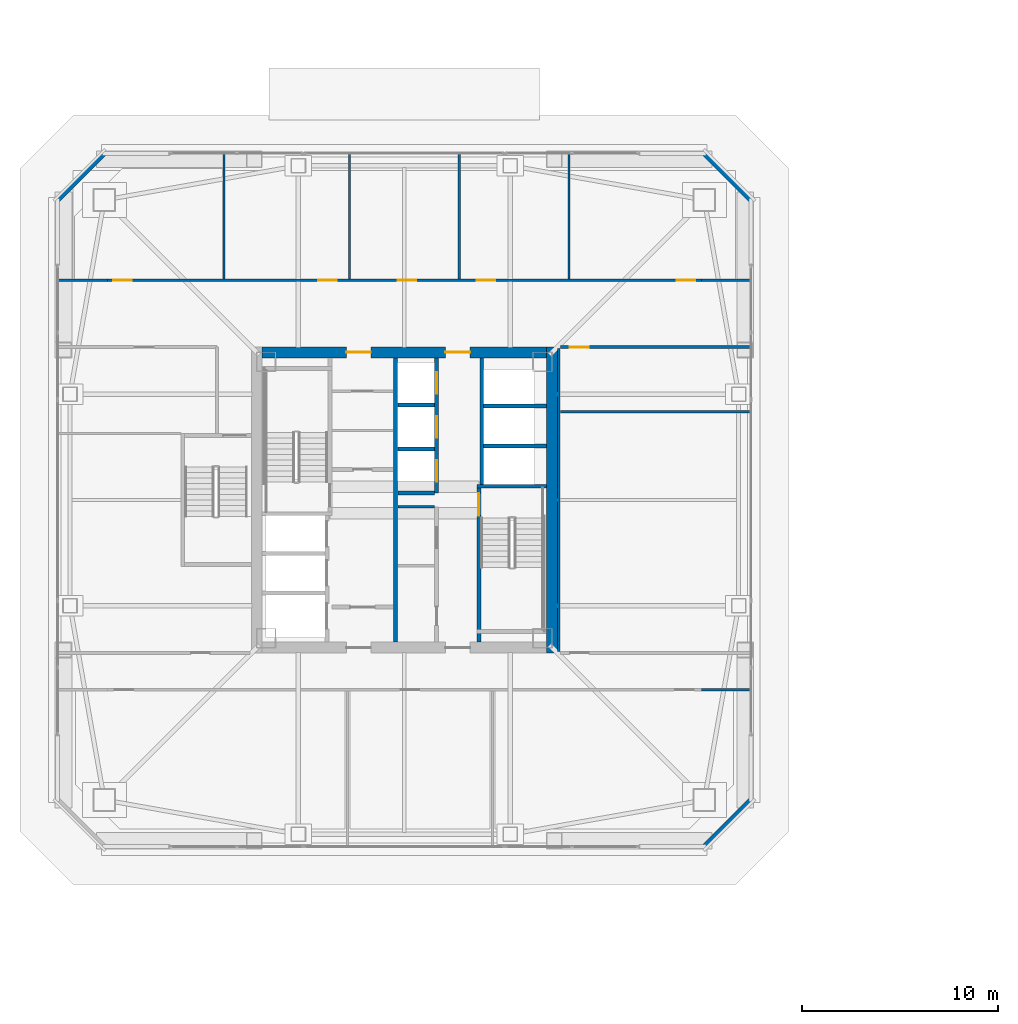
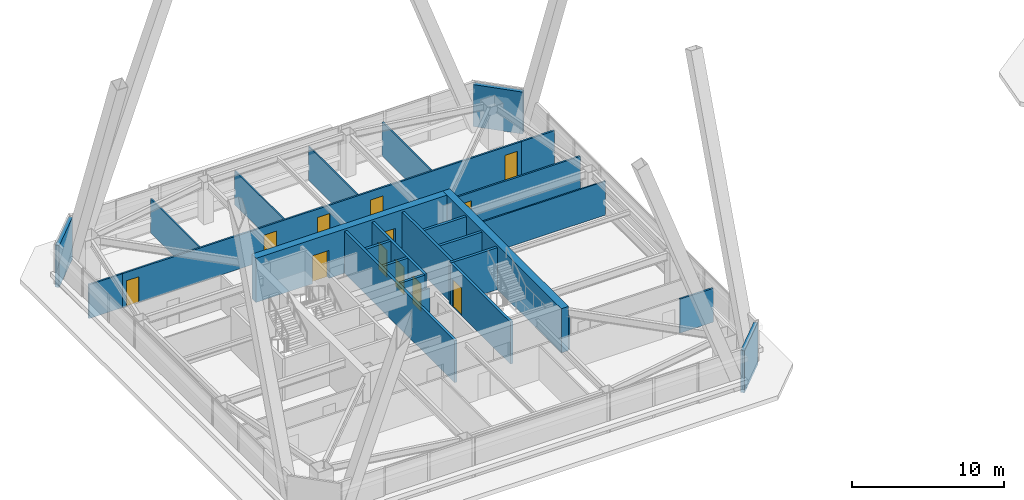
# One storey, part 56 of 65: 27 walls, 12 doors, 12 openings.
"""IFC4 building model written with IfcOpenShell, lengths in metres."""

import ifcopenshell
import ifcopenshell.guid

model = None  # the IFC model being written
_history = None  # IfcOwnerHistory: only IFC2X3 demands one
_inside = {}  # id of a spatial element -> (the spatial element, [elements in it])
_under = {}  # id of a project, library or spatial element -> (it, [spatial elements below it])
_declared = {}  # id of a project -> (the project, [libraries it declares])
_typed = {}  # id of a type object -> (the type object, [elements of that type])
_made_of = {}  # id of a material, layer set ... -> (it, [elements and type objects made of it])


def new_model(schema):
    """Start an empty IFC model of exactly this schema.

    Asked for "IFC4X3", IfcOpenShell would pick the latest addendum, in which some entities
    have other attributes; the version numbers below select the first issue.
    IFC2X3 requires an IfcOwnerHistory on every rooted entity: one is made here for all.
    """
    global model, _history
    if schema == "IFC4X3":
        model = ifcopenshell.file(schema_version=(4, 3, 0, 0))
    else:
        model = ifcopenshell.file(schema=schema)
    _inside.clear()
    _under.clear()
    _declared.clear()
    _typed.clear()
    _made_of.clear()
    _history = None
    if model.schema == "IFC2X3":
        org = make("IfcOrganization", Name="unknown")
        user = make(
            "IfcPersonAndOrganization",
            ThePerson=make("IfcPerson", FamilyName="unknown"),
            TheOrganization=org,
        )
        app = make(
            "IfcApplication",
            ApplicationDeveloper=org,
            Version="unknown",
            ApplicationFullName="unknown",
            ApplicationIdentifier="unknown",
        )
        _history = make(
            "IfcOwnerHistory",
            OwningUser=user,
            OwningApplication=app,
            ChangeAction="ADDED",
            CreationDate=0,
        )
    return model


def make(cls, **values):
    """One entity of the class cls with the attributes given. An attribute that is None is left unset."""
    return model.create_entity(
        cls, **{name: value for name, value in values.items() if value is not None}
    )


def rooted(cls, **values):
    """An entity with a GlobalId (a new one), such as an element, a storey or a relation."""
    return make(cls, GlobalId=ifcopenshell.guid.new(), OwnerHistory=_history, **values)


def si_unit(unit_type, name, prefix=None):
    """IfcSIUnit, for example si_unit("LENGTHUNIT", "METRE", prefix="MILLI")."""
    return make("IfcSIUnit", UnitType=unit_type, Prefix=prefix, Name=name)


def assignment(units):
    """IfcUnitAssignment: the units of a project."""
    return None if units is None else make("IfcUnitAssignment", Units=units)


def point(xyz):
    """IfcCartesianPoint."""
    return None if xyz is None else make("IfcCartesianPoint", Coordinates=xyz)


def direction(xyz):
    """IfcDirection."""
    return None if xyz is None else make("IfcDirection", DirectionRatios=xyz)


def frame(location, z_axis=None, x_axis=None):
    """IfcAxis2Placement3D, a coordinate frame: its origin and axes. An axis left out is left unset."""
    return make(
        "IfcAxis2Placement3D",
        Location=point(location),
        Axis=direction(z_axis),
        RefDirection=direction(x_axis),
    )


def frame_2d(location, x_axis=None):
    """IfcAxis2Placement2D, a coordinate frame in the plane: its origin and x axis."""
    return make(
        "IfcAxis2Placement2D", Location=point(location), RefDirection=direction(x_axis)
    )


def origin():
    """The frame at (0, 0, 0) with its axes left unset."""
    return frame((0.0, 0.0, 0.0))


def place(relative_to, where):
    """IfcLocalPlacement: puts the frame where relative to a parent placement (None: the world)."""
    return make(
        "IfcLocalPlacement", PlacementRelTo=relative_to, RelativePlacement=where
    )


def context(
    kind, dimensions, precision=None, world=None, true_north=None, identifier=None
):
    """IfcGeometricRepresentationContext, for example the 3D "Model" context."""
    return make(
        "IfcGeometricRepresentationContext",
        ContextIdentifier=identifier,
        ContextType=kind,
        CoordinateSpaceDimension=dimensions,
        Precision=precision,
        WorldCoordinateSystem=world,
        TrueNorth=true_north,
    )


def subcontext(parent, identifier, kind, view, scale=None):
    """IfcGeometricRepresentationSubContext, for example "Body" below "Model"."""
    return make(
        "IfcGeometricRepresentationSubContext",
        ContextIdentifier=identifier,
        ContextType=kind,
        ParentContext=parent,
        TargetScale=scale,
        TargetView=view,
    )


def project(units=None, contexts=None):
    """IfcProject with its units and contexts."""
    return rooted(
        "IfcProject",
        Name="project",
        RepresentationContexts=contexts,
        UnitsInContext=assignment(units),
    )


def spatial(cls, under=None, at=None, **own):
    """A site, building, storey or space (cls), placed at a placement, below another one or the project."""
    s = rooted(cls, ObjectPlacement=at, **own)
    if under is not None:
        _under.setdefault(under.id(), (under, []))[1].append(s)
    return s


def profile(cls, at=None, kind="AREA", **sizes):
    """A parametric profile (cls). Its sizes go by their IFC names, for example OverallWidth=200.0."""
    return make(cls, ProfileType=kind, Position=at, **sizes)


def rectangle(**sizes):
    """IfcRectangleProfileDef."""
    return profile("IfcRectangleProfileDef", **sizes)


def extrude(swept, where, along, depth):
    """IfcExtrudedAreaSolid: the profile swept, set in the frame where, extruded along a direction by depth."""
    return make(
        "IfcExtrudedAreaSolid",
        SweptArea=swept,
        Position=where,
        ExtrudedDirection=direction(along),
        Depth=depth,
    )


def shape(context_of_items, identifier, shape_type, items):
    """IfcShapeRepresentation: the items that make up one representation, for example the "Body"."""
    return make(
        "IfcShapeRepresentation",
        ContextOfItems=context_of_items,
        RepresentationIdentifier=identifier,
        RepresentationType=shape_type,
        Items=items,
    )


def material(Name=None, Category=None):
    """IfcMaterial."""
    return make("IfcMaterial", Name=Name, Category=Category)


def layer(
    of_material, thickness, ventilated=None, Name=None, Category=None, Priority=None
):
    """IfcMaterialLayer: one layer of a wall or slab, of a material (None: an air gap)."""
    return make(
        "IfcMaterialLayer",
        Material=of_material,
        LayerThickness=thickness,
        IsVentilated=ventilated,
        Name=Name,
        Category=Category,
        Priority=Priority,
    )


def layer_set(layers, Name=None):
    """IfcMaterialLayerSet."""
    return make("IfcMaterialLayerSet", MaterialLayers=layers, LayerSetName=Name)


def made_of(thing, what):
    """Note that an element or type object is made of a material, layer set ...; save() writes the relation."""
    if what is not None:
        _made_of.setdefault(what.id(), (what, []))[1].append(thing)
    return thing


def type_object(cls, material=None, **own):
    """A type object (cls), such as IfcWallType, which elements share."""
    return made_of(rooted(cls, **own), material)


def element(
    cls,
    number,
    at=None,
    inside=None,
    cuts=None,
    type_object=None,
    material=None,
    context=None,
    identifier="Body",
    shape_type=None,
    held_by="IfcProductDefinitionShape",
    body=None,
    shapes=None,
    **own,
):
    """One element of the class cls, such as IfcWall. Its Tag is "e" and its number.

    at: its placement. inside: the storey or other place that contains it. cuts: it is an
    opening in that element (IfcRelVoidsElement). A single representation is given by context,
    identifier, shape_type and body (its items); several are given by shapes. held_by: the class
    of the entity that holds the representations. save() writes the other relations.
    """
    e = rooted(cls, Tag="e%d" % number, ObjectPlacement=at, **own)
    if body is not None:
        shapes = [shape(context, identifier, shape_type, body)]
    if shapes is not None:
        e.Representation = make(held_by, Representations=shapes)
    if inside is not None:
        _inside.setdefault(inside.id(), (inside, []))[1].append(e)
    if cuts is not None:
        rooted(
            "IfcRelVoidsElement", RelatingBuildingElement=cuts, RelatedOpeningElement=e
        )
    if type_object is not None:
        _typed.setdefault(type_object.id(), (type_object, []))[1].append(e)
    return made_of(e, material)


def fill(opening, filler):
    """IfcRelFillsElement: the door or window that sits in an opening."""
    return rooted(
        "IfcRelFillsElement",
        RelatingOpeningElement=opening,
        RelatedBuildingElement=filler,
    )


def aggregate(whole, parts):
    """IfcRelAggregates: a whole, such as a stair, and the parts it consists of."""
    return rooted("IfcRelAggregates", RelatingObject=whole, RelatedObjects=parts)


def save(model, path):
    """Write the relations noted so far, then the file.

    IfcRelAggregates (storeys below a building ...), IfcRelContainedInSpatialStructure (elements
    in a storey), IfcRelDefinesByType, IfcRelAssociatesMaterial and IfcRelDeclares: one each for
    every whole, place, type object, material and project.
    """
    for whole, parts in _under.values():
        aggregate(whole, parts)
    for where, things in _inside.values():
        rooted(
            "IfcRelContainedInSpatialStructure",
            RelatedElements=things,
            RelatingStructure=where,
        )
    for kind, things in _typed.values():
        rooted("IfcRelDefinesByType", RelatedObjects=things, RelatingType=kind)
    for what, things in _made_of.values():
        rooted("IfcRelAssociatesMaterial", RelatedObjects=things, RelatingMaterial=what)
    for by, libraries in _declared.values():
        rooted("IfcRelDeclares", RelatingContext=by, RelatedDefinitions=libraries)
    model.write(path)


model = new_model("IFC4")

# Units and contexts
model_context = context("Model", 3, precision=1e-05, world=origin(), true_north=direction((0.0, 1.0)))
body_context = subcontext(model_context, "Body", "Model", "MODEL_VIEW")
ifc_project = project(units=[si_unit("LENGTHUNIT", "METRE"), si_unit("AREAUNIT", "SQUARE_METRE"), si_unit("VOLUMEUNIT", "CUBIC_METRE"), si_unit("PLANEANGLEUNIT", "RADIAN"), si_unit("MASSUNIT", "GRAM", prefix="KILO")], contexts=[model_context])

# Site, building, storey
site_placement = place(None, origin())
site = spatial("IfcSite", under=ifc_project, at=site_placement, CompositionType="ELEMENT")
building_placement = place(site_placement, origin())
building = spatial("IfcBuilding", under=site, at=building_placement, Name="Tashvorn Skyway Center", CompositionType="ELEMENT")
storey_placement = place(building_placement, frame((0.0, 0.0, 157.0)))
storey = spatial("IfcBuildingStorey", under=building, at=storey_placement, Name="L42", CompositionType="ELEMENT", Elevation=157.0)

# Wall
ifc_material_1 = material(Name="Concrete C60/75", Category="concrete")
ifc_layer_1 = layer(ifc_material_1, 0.550048828125)
ifc_layer_set_1 = layer_set([ifc_layer_1], Name="Concrete C60/75")
wall_type_1 = type_object("IfcWallType", Name="WALL-CORE-550", PredefinedType="SHEAR", material=ifc_layer_set_1)
wall_1_placement = place(storey_placement, frame((49.52490234375, 39.800048828125, 0.0), z_axis=(0.0, 0.0, 1.0), x_axis=(0.0, -1.0, 0.0)))
element("IfcWall", 1, at=wall_1_placement, inside=storey, type_object=wall_type_1, Name="Tower 1 L42 East Core Shear Wall", PredefinedType="SHEAR", context=body_context, shape_type="SweptSolid", body=[
    extrude(rectangle(XDim=15.60009765625, YDim=0.550048828125, at=frame_2d((7.800048828125, 0.0))), origin(), (0.0, 0.0, 1.0), 3.550048828125),
])

# Wall, openings, doors
wall_2_placement = place(storey_placement, frame((34.75, 39.52490234375, 0.0), z_axis=(0.0, 0.0, 1.0), x_axis=(1.0, 0.0, 0.0)))
wall_2 = element("IfcWall", 2, at=wall_2_placement, inside=storey, type_object=wall_type_1, Name="Tower 1 L42 North Core Shear Wall", PredefinedType="SHEAR", context=body_context, shape_type="SweptSolid", body=[
    extrude(rectangle(XDim=14.5, YDim=0.550048828125, at=frame_2d((7.25, 0.0))), origin(), (0.0, 0.0, 1.0), 3.550048828125),
])
opening_1_placement = place(wall_2_placement, frame((4.300048828125, 0.0, 0.0)))
opening_1 = element("IfcOpeningElement", 3, at=opening_1_placement, cuts=wall_2, Name="Opening D-FFL-1250", PredefinedType="OPENING", context=body_context, shape_type="SweptSolid", body=[
    extrude(rectangle(XDim=1.25, YDim=2.25, at=frame_2d((0.625, 1.125))), frame((0.0, 0.284912109375, 0.0), z_axis=(0.0, -1.0, 0.0), x_axis=(1.0, 0.0, 0.0)), (0.0, 0.0, 1.0), 0.570068359375),
])
opening_2_placement = place(wall_2_placement, frame((9.35009765625, 0.0, 0.0)))
opening_2 = element("IfcOpeningElement", 4, at=opening_2_placement, cuts=wall_2, Name="Opening D-FFL-1250", PredefinedType="OPENING", context=body_context, shape_type="SweptSolid", body=[
    extrude(rectangle(XDim=1.25, YDim=2.25, at=frame_2d((0.625, 1.125))), frame((0.0, 0.284912109375, 0.0), z_axis=(0.0, -1.0, 0.0), x_axis=(1.0, 0.0, 0.0)), (0.0, 0.0, 1.0), 0.570068359375),
])
ifc_material_2 = material(Name="Hollow galvanized steel fire door assembly", Category="steel")
door_type_1 = type_object("IfcDoorType", Name="DOOR-FFL-1250", OperationType="NOTDEFINED", PredefinedType="DOOR", material=ifc_material_2)
door_1_placement = place(opening_1_placement, origin())
door_1 = element("IfcDoor", 5, at=door_1_placement, inside=storey, type_object=door_type_1, Name="Tower 1 L42 Core North Service Lobby Door", OperationType="SINGLE_SWING_LEFT", OverallHeight=2.25, OverallWidth=1.25, PredefinedType="DOOR", context=body_context, shape_type="SweptSolid", body=[
    extrude(rectangle(XDim=1.25, YDim=2.25, at=frame_2d((0.625, 1.125))), frame((0.0, 0.02490234375, 0.0), z_axis=(0.0, -1.0, 0.0), x_axis=(1.0, 0.0, 0.0)), (0.0, 0.0, 1.0), 0.050048828125),
])
fill(opening_1, door_1)
door_2_placement = place(opening_2_placement, origin())
door_2 = element("IfcDoor", 6, at=door_2_placement, inside=storey, type_object=door_type_1, Name="Tower 1 L42 Core North Lift Lobby Door", OperationType="SINGLE_SWING_RIGHT", OverallHeight=2.25, OverallWidth=1.25, PredefinedType="DOOR", context=body_context, shape_type="SweptSolid", body=[
    extrude(rectangle(XDim=1.25, YDim=2.25, at=frame_2d((0.625, 1.125))), frame((0.0, 0.02490234375, 0.0), z_axis=(0.0, -1.0, 0.0), x_axis=(1.0, 0.0, 0.0)), (0.0, 0.0, 1.0), 0.050048828125),
])
fill(opening_2, door_2)

# Walls
ifc_material_3 = material(Name="Precast concrete C40/50", Category="concrete")
ifc_layer_2 = layer(ifc_material_3, 0.280029296875)
ifc_layer_set_2 = layer_set([ifc_layer_2], Name="Precast concrete C40/50")
wall_type_2 = type_object("IfcWallType", Name="WALL-EXT-280", PredefinedType="SOLIDWALL", material=ifc_layer_set_2)
for number, where, z_axis, x_axis, name in (
    (7, (24.300048828125, 47.300048828125, 0.0), (0.0, 0.0, 1.0), (0.707106781187, 0.707106781187, 0.0), "Tower 1 L42 NW Precast Chamfer Wall"),
    (8, (57.300048828125, 49.699951171875, 0.0), (0.0, 0.0, 1.0), (0.707106781187, -0.707106781187, 0.0), "Tower 1 L42 NE Precast Chamfer Wall"),
    (9, (59.699951171875, 16.699951171875, 0.0), (0.0, 0.0, 1.0), (-0.707106781187, -0.707106781187, 0.0), "Tower 1 L42 SE Precast Chamfer Wall"),
):
    element("IfcWall", number, at=place(storey_placement, frame(where, z_axis=z_axis, x_axis=x_axis)), inside=storey, type_object=wall_type_2, Name=name, PredefinedType="SOLIDWALL", context=body_context, shape_type="SweptSolid", body=[
        extrude(rectangle(XDim=3.39404296875, YDim=0.280029296875, at=frame_2d((1.697021484375, 0.0))), origin(), (0.0, 0.0, 1.0), 3.3701171875),
    ])
ifc_material_4 = material(Name="Gypsum board on cold-formed steel stud framing", Category="steel")
ifc_layer_3 = layer(ifc_material_4, 0.110107421875)
ifc_layer_set_3 = layer_set([ifc_layer_3], Name="Gypsum board on cold-formed steel stud framing")
wall_type_3 = type_object("IfcWallType", Name="WALL-PART-110", PredefinedType="PARTITIONING", material=ifc_layer_set_3)
for number, where, z_axis, x_axis, name in (
    (10, (32.800048828125, 43.280029296875, 0.0), (0.0, 0.0, 1.0), (0.0, 1.0, 0.0), "Tower 1 L42 North Suite Partition 1"),
    (11, (39.199951171875, 43.280029296875, 0.0), (0.0, 0.0, 1.0), (0.0, 1.0, 0.0), "Tower 1 L42 North Suite Partition 2"),
    (12, (44.800048828125, 43.280029296875, 0.0), (0.0, 0.0, 1.0), (0.0, 1.0, 0.0), "Tower 1 L42 North Suite Partition 3"),
    (13, (50.39990234375, 43.280029296875, 0.0), (0.0, 0.0, 1.0), (0.0, 1.0, 0.0), "Tower 1 L42 North Suite Partition 4"),
):
    element("IfcWall", number, at=place(storey_placement, frame(where, z_axis=z_axis, x_axis=x_axis)), inside=storey, type_object=wall_type_3, Name=name, PredefinedType="PARTITIONING", context=body_context, shape_type="SweptSolid", body=[
        extrude(rectangle(XDim=6.39990234375, YDim=0.110107421875, at=frame_2d((3.199951171875, 0.0))), origin(), (0.0, 0.0, 1.0), 2.722900390625),
    ])
wall_3_placement = place(storey_placement, frame((49.9599609375, 36.5, 0.0), z_axis=(0.0, 0.0, 1.0), x_axis=(1.0, 0.0, 0.0)))
element("IfcWall", 14, at=wall_3_placement, inside=storey, type_object=wall_type_3, Name="Tower 1 L42 East Mid Partition", PredefinedType="PARTITIONING", context=body_context, shape_type="SweptSolid", body=[
    extrude(rectangle(XDim=9.719970703125, YDim=0.110107421875, at=frame_2d((4.85986328125, 0.0))), origin(), (0.0, 0.0, 1.0), 2.722900390625),
])

# Wall, openings, doors
ifc_layer_4 = layer(ifc_material_4, 0.135009765625)
ifc_layer_set_4 = layer_set([ifc_layer_4], Name="Gypsum board on cold-formed steel stud framing")
wall_type_4 = type_object("IfcWallType", Name="WALL-PART-135", PredefinedType="PARTITIONING", material=ifc_layer_set_4)
wall_4_placement = place(storey_placement, frame((26.85009765625, 43.199951171875, 0.0), z_axis=(0.0, 0.0, 1.0), x_axis=(1.0, 0.0, 0.0)))
wall_4 = element("IfcWall", 15, at=wall_4_placement, inside=storey, type_object=wall_type_4, Name="Tower 1 L42 North Suite Wall", PredefinedType="PARTITIONING", context=body_context, shape_type="SweptSolid", body=[
    extrude(rectangle(XDim=30.2998046875, YDim=0.135009765625, at=frame_2d((15.14990234375, 0.0))), origin(), (0.0, 0.0, 1.0), 2.722900390625),
])
opening_3_placement = place(wall_4_placement, frame((0.300048828125, 0.0, 0.0)))
opening_3 = element("IfcOpeningElement", 16, at=opening_3_placement, cuts=wall_4, Name="Opening D-INT-950", PredefinedType="OPENING", context=body_context, shape_type="SweptSolid", body=[
    extrude(rectangle(XDim=0.949951171875, YDim=2.050048828125, at=frame_2d((0.47509765625, 1.02490234375))), frame((0.0, 0.077392578125, 0.0), z_axis=(0.0, -1.0, 0.0), x_axis=(1.0, 0.0, 0.0)), (0.0, 0.0, 1.0), 0.155029296875),
])
opening_4_placement = place(wall_4_placement, frame((10.759521484375, 0.0, 0.0)))
opening_4 = element("IfcOpeningElement", 17, at=opening_4_placement, cuts=wall_4, Name="Opening D-INT-950", PredefinedType="OPENING", context=body_context, shape_type="SweptSolid", body=[
    extrude(rectangle(XDim=0.949951171875, YDim=2.050048828125, at=frame_2d((0.47509765625, 1.02490234375))), frame((0.0, 0.077392578125, 0.0), z_axis=(0.0, -1.0, 0.0), x_axis=(1.0, 0.0, 0.0)), (0.0, 0.0, 1.0), 0.155029296875),
])
opening_5_placement = place(wall_4_placement, frame((14.8046875, 0.0, 0.0)))
opening_5 = element("IfcOpeningElement", 18, at=opening_5_placement, cuts=wall_4, Name="Opening D-INT-950", PredefinedType="OPENING", context=body_context, shape_type="SweptSolid", body=[
    extrude(rectangle(XDim=0.949951171875, YDim=2.050048828125, at=frame_2d((0.47509765625, 1.02490234375))), frame((0.0, 0.077392578125, 0.0), z_axis=(0.0, -1.0, 0.0), x_axis=(1.0, 0.0, 0.0)), (0.0, 0.0, 1.0), 0.155029296875),
])
opening_6_placement = place(wall_4_placement, frame((18.8486328125, 0.0, 0.0)))
opening_6 = element("IfcOpeningElement", 19, at=opening_6_placement, cuts=wall_4, Name="Opening D-INT-950", PredefinedType="OPENING", context=body_context, shape_type="SweptSolid", body=[
    extrude(rectangle(XDim=0.949951171875, YDim=2.050048828125, at=frame_2d((0.47509765625, 1.02490234375))), frame((0.0, 0.077392578125, 0.0), z_axis=(0.0, -1.0, 0.0), x_axis=(1.0, 0.0, 0.0)), (0.0, 0.0, 1.0), 0.155029296875),
])
opening_7_placement = place(wall_4_placement, frame((29.050048828125, 0.0, 0.0)))
opening_7 = element("IfcOpeningElement", 20, at=opening_7_placement, cuts=wall_4, Name="Opening D-INT-950", PredefinedType="OPENING", context=body_context, shape_type="SweptSolid", body=[
    extrude(rectangle(XDim=0.949951171875, YDim=2.050048828125, at=frame_2d((0.47509765625, 1.02490234375))), frame((0.0, 0.077392578125, 0.0), z_axis=(0.0, -1.0, 0.0), x_axis=(1.0, 0.0, 0.0)), (0.0, 0.0, 1.0), 0.155029296875),
])
ifc_material_5 = material(Name="Solid-core architectural oak veneer door")
door_type_2 = type_object("IfcDoorType", Name="DOOR-INT-950", OperationType="NOTDEFINED", PredefinedType="DOOR", material=ifc_material_5)
door_3_placement = place(opening_3_placement, origin())
door_3 = element("IfcDoor", 21, at=door_3_placement, inside=storey, type_object=door_type_2, Name="Tower 1 L42 Research Library Door", OperationType="SINGLE_SWING_LEFT", OverallHeight=2.050048828125, OverallWidth=0.949951171875, PredefinedType="DOOR", context=body_context, shape_type="SweptSolid", body=[
    extrude(rectangle(XDim=0.949951171875, YDim=2.050048828125, at=frame_2d((0.47509765625, 1.02490234375))), frame((0.0, 0.02490234375, 0.0), z_axis=(0.0, -1.0, 0.0), x_axis=(1.0, 0.0, 0.0)), (0.0, 0.0, 1.0), 0.050048828125),
])
fill(opening_3, door_3)
door_4_placement = place(opening_4_placement, origin())
door_4 = element("IfcDoor", 22, at=door_4_placement, inside=storey, type_object=door_type_2, Name="Tower 1 L42 Research Library Door", OperationType="SINGLE_SWING_RIGHT", OverallHeight=2.050048828125, OverallWidth=0.949951171875, PredefinedType="DOOR", context=body_context, shape_type="SweptSolid", body=[
    extrude(rectangle(XDim=0.949951171875, YDim=2.050048828125, at=frame_2d((0.47509765625, 1.02490234375))), frame((0.0, 0.02490234375, 0.0), z_axis=(0.0, -1.0, 0.0), x_axis=(1.0, 0.0, 0.0)), (0.0, 0.0, 1.0), 0.050048828125),
])
fill(opening_4, door_4)
door_5_placement = place(opening_5_placement, origin())
door_5 = element("IfcDoor", 23, at=door_5_placement, inside=storey, type_object=door_type_2, Name="Tower 1 L42 Staff Fitness Club Door", OperationType="SINGLE_SWING_LEFT", OverallHeight=2.050048828125, OverallWidth=0.949951171875, PredefinedType="DOOR", context=body_context, shape_type="SweptSolid", body=[
    extrude(rectangle(XDim=0.949951171875, YDim=2.050048828125, at=frame_2d((0.47509765625, 1.02490234375))), frame((0.0, 0.02490234375, 0.0), z_axis=(0.0, -1.0, 0.0), x_axis=(1.0, 0.0, 0.0)), (0.0, 0.0, 1.0), 0.050048828125),
])
fill(opening_5, door_5)
door_6_placement = place(opening_6_placement, origin())
door_6 = element("IfcDoor", 24, at=door_6_placement, inside=storey, type_object=door_type_2, Name="Tower 1 L42 Research Library Door", OperationType="SINGLE_SWING_RIGHT", OverallHeight=2.050048828125, OverallWidth=0.949951171875, PredefinedType="DOOR", context=body_context, shape_type="SweptSolid", body=[
    extrude(rectangle(XDim=0.949951171875, YDim=2.050048828125, at=frame_2d((0.47509765625, 1.02490234375))), frame((0.0, 0.02490234375, 0.0), z_axis=(0.0, -1.0, 0.0), x_axis=(1.0, 0.0, 0.0)), (0.0, 0.0, 1.0), 0.050048828125),
])
fill(opening_6, door_6)
door_7_placement = place(opening_7_placement, origin())
door_7 = element("IfcDoor", 25, at=door_7_placement, inside=storey, type_object=door_type_2, Name="Tower 1 L42 Research Library Door", OperationType="SINGLE_SWING_LEFT", OverallHeight=2.050048828125, OverallWidth=0.949951171875, PredefinedType="DOOR", context=body_context, shape_type="SweptSolid", body=[
    extrude(rectangle(XDim=0.949951171875, YDim=2.050048828125, at=frame_2d((0.47509765625, 1.02490234375))), frame((0.0, 0.02490234375, 0.0), z_axis=(0.0, -1.0, 0.0), x_axis=(1.0, 0.0, 0.0)), (0.0, 0.0, 1.0), 0.050048828125),
])
fill(opening_7, door_7)

# Walls
for number, where, z_axis, x_axis, name in (
    (26, (24.320068359375, 43.199951171875, 0.0), (0.0, 0.0, 1.0), (1.0, 0.0, 0.0), "Tower 1 L42 North-West Suite South Wall"),
    (27, (57.14990234375, 43.199951171875, 0.0), (0.0, 0.0, 1.0), (1.0, 0.0, 0.0), "Tower 1 L42 North-East Suite South Wall"),
    (28, (57.14990234375, 22.330078125, 0.0), (0.0, 0.0, 1.0), (1.0, 0.0, 0.0), "Tower 1 L42 South-East Suite North Wall"),
):
    element("IfcWall", number, at=place(storey_placement, frame(where, z_axis=z_axis, x_axis=x_axis)), inside=storey, type_object=wall_type_4, Name=name, PredefinedType="PARTITIONING", context=body_context, shape_type="SweptSolid", body=[
        extrude(rectangle(XDim=2.530029296875, YDim=0.135009765625, at=frame_2d((1.26513671875, 0.0))), origin(), (0.0, 0.0, 1.0), 2.722900390625),
    ])
wall_5_placement = place(storey_placement, frame((49.8798828125, 39.719970703125, 0.0), z_axis=(0.0, 0.0, 1.0), x_axis=(0.0, -1.0, 0.0)))
element("IfcWall", 29, at=wall_5_placement, inside=storey, type_object=wall_type_4, Name="Tower 1 L42 East Inner Suite Wall", PredefinedType="PARTITIONING", context=body_context, shape_type="SweptSolid", body=[
    extrude(rectangle(XDim=15.43994140625, YDim=0.135009765625, at=frame_2d((7.719970703125, 0.0))), origin(), (0.0, 0.0, 1.0), 2.722900390625),
])

# Wall, opening, door
wall_6_placement = place(storey_placement, frame((59.679931640625, 39.800048828125, 0.0), z_axis=(0.0, 0.0, 1.0), x_axis=(-1.0, 0.0, 0.0)))
wall_6 = element("IfcWall", 30, at=wall_6_placement, inside=storey, type_object=wall_type_4, Name="Tower 1 L42 East Suite North Wall", PredefinedType="PARTITIONING", context=body_context, shape_type="SweptSolid", body=[
    extrude(rectangle(XDim=9.719970703125, YDim=0.135009765625, at=frame_2d((4.85986328125, 0.0))), origin(), (0.0, 0.0, 1.0), 2.722900390625),
])
opening_8_placement = place(wall_6_placement, frame((8.280029296875, 0.0, 0.0)))
opening_8 = element("IfcOpeningElement", 31, at=opening_8_placement, cuts=wall_6, Name="Opening D-INT-950", PredefinedType="OPENING", context=body_context, shape_type="SweptSolid", body=[
    extrude(rectangle(XDim=0.949951171875, YDim=2.050048828125, at=frame_2d((0.47509765625, 1.02490234375))), frame((0.0, 0.077392578125, 0.0), z_axis=(0.0, -1.0, 0.0), x_axis=(1.0, 0.0, 0.0)), (0.0, 0.0, 1.0), 0.155029296875),
])
door_8_placement = place(opening_8_placement, origin())
door_8 = element("IfcDoor", 32, at=door_8_placement, inside=storey, type_object=door_type_2, Name="Tower 1 L42 Research Library Door", OperationType="SINGLE_SWING_LEFT", OverallHeight=2.050048828125, OverallWidth=0.949951171875, PredefinedType="DOOR", context=body_context, shape_type="SweptSolid", body=[
    extrude(rectangle(XDim=0.949951171875, YDim=2.050048828125, at=frame_2d((0.47509765625, 1.02490234375))), frame((0.0, 0.02490234375, 0.0), z_axis=(0.0, -1.0, 0.0), x_axis=(1.0, 0.0, 0.0)), (0.0, 0.0, 1.0), 0.050048828125),
])
fill(opening_8, door_8)

# Walls
ifc_layer_5 = layer(ifc_material_4, 0.135009765625)
ifc_layer_set_5 = layer_set([ifc_layer_5], Name="Gypsum board on cold-formed steel stud framing")
wall_type_5 = type_object("IfcWallType", Name="WALL-RATED-135", PredefinedType="PARTITIONING", material=ifc_layer_set_5)
wall_7_placement = place(storey_placement, frame((41.669921875, 31.64990234375, 0.0), z_axis=(0.0, 0.0, 1.0), x_axis=(1.0, 0.0, 0.0)))
element("IfcWall", 33, at=wall_7_placement, inside=storey, type_object=wall_type_5, Name="Tower 1 L42 Core Room Partition", PredefinedType="PARTITIONING", context=body_context, shape_type="SweptSolid", body=[
    extrude(rectangle(XDim=1.880126953125, YDim=0.135009765625, at=frame_2d((0.93994140625, 0.0))), origin(), (0.0, 0.0, 1.0), 2.722900390625),
])
ifc_material_6 = material(Name="Concrete C40/50", Category="concrete")
ifc_layer_6 = layer(ifc_material_6, 0.199951171875)
ifc_layer_set_6 = layer_set([ifc_layer_6], Name="Concrete C40/50")
wall_type_6 = type_object("IfcWallType", Name="WALL-SHAFT-200", PredefinedType="SOLIDWALL", material=ifc_layer_set_6)
for number, where, z_axis, x_axis, name in (
    (34, (46.050048828125, 34.75, 0.0), (0.0, 0.0, 1.0), (1.0, 0.0, 0.0), "Tower 1 L42 High-Rise Shaft Divider"),
    (35, (46.050048828125, 36.800048828125, 0.0), (0.0, 0.0, 1.0), (1.0, 0.0, 0.0), "Tower 1 L42 High-Rise Shaft Divider"),
):
    element("IfcWall", number, at=place(storey_placement, frame(where, z_axis=z_axis, x_axis=x_axis)), inside=storey, type_object=wall_type_6, Name=name, PredefinedType="SOLIDWALL", context=body_context, shape_type="SweptSolid", body=[
        extrude(rectangle(XDim=3.199951171875, YDim=0.199951171875, at=frame_2d((1.60009765625, 0.0))), origin(), (0.0, 0.0, 1.0), 3.3701171875),
    ])

# Wall, openings, doors
wall_8_placement = place(storey_placement, frame((43.64990234375, 32.35009765625, 0.0), z_axis=(0.0, 0.0, 1.0), x_axis=(0.0, 1.0, 0.0)))
wall_8 = element("IfcWall", 36, at=wall_8_placement, inside=storey, type_object=wall_type_6, Name="Tower 1 L42 Mid-Rise Core Wall", PredefinedType="SOLIDWALL", context=body_context, shape_type="SweptSolid", body=[
    extrude(rectangle(XDim=6.89990234375, YDim=0.199951171875, at=frame_2d((3.449951171875, 0.0))), origin(), (0.0, 0.0, 1.0), 3.3701171875),
])
opening_9_placement = place(wall_8_placement, frame((0.574951171875, 0.0, 0.0)))
opening_9 = element("IfcOpeningElement", 37, at=opening_9_placement, cuts=wall_8, Name="Opening LD-MR-T1-1-L42", PredefinedType="OPENING", context=body_context, shape_type="SweptSolid", body=[
    extrude(rectangle(XDim=1.10009765625, YDim=2.199951171875, at=frame_2d((0.550048828125, 1.10009765625))), frame((0.0, 0.10986328125, 0.0), z_axis=(0.0, -1.0, 0.0), x_axis=(1.0, 0.0, 0.0)), (0.0, 0.0, 1.0), 0.219970703125),
])
opening_10_placement = place(wall_8_placement, frame((2.824951171875, 0.0, 0.0)))
opening_10 = element("IfcOpeningElement", 38, at=opening_10_placement, cuts=wall_8, Name="Opening LD-MR-T1-2-L42", PredefinedType="OPENING", context=body_context, shape_type="SweptSolid", body=[
    extrude(rectangle(XDim=1.10009765625, YDim=2.199951171875, at=frame_2d((0.550048828125, 1.10009765625))), frame((0.0, 0.10986328125, 0.0), z_axis=(0.0, -1.0, 0.0), x_axis=(1.0, 0.0, 0.0)), (0.0, 0.0, 1.0), 0.219970703125),
])
opening_11_placement = place(wall_8_placement, frame((5.074951171875, 0.0, 0.0)))
opening_11 = element("IfcOpeningElement", 39, at=opening_11_placement, cuts=wall_8, Name="Opening LD-MR-T1-3-L42", PredefinedType="OPENING", context=body_context, shape_type="SweptSolid", body=[
    extrude(rectangle(XDim=1.10009765625, YDim=2.199951171875, at=frame_2d((0.550048828125, 1.10009765625))), frame((0.0, 0.10986328125, 0.0), z_axis=(0.0, -1.0, 0.0), x_axis=(1.0, 0.0, 0.0)), (0.0, 0.0, 1.0), 0.219970703125),
])
ifc_material_7 = material(Name="Stainless steel landing door", Category="steel")
door_type_3 = type_object("IfcDoorType", Name="DOOR-LIFT-1100", OperationType="SLIDING_TO_LEFT", PredefinedType="DOOR", material=ifc_material_7)
door_9_placement = place(opening_9_placement, origin())
door_9 = element("IfcDoor", 40, at=door_9_placement, inside=storey, type_object=door_type_3, Name="Lift MR-T1-1 L42 Landing Door", OperationType="SLIDING_TO_LEFT", OverallHeight=2.199951171875, OverallWidth=1.10009765625, PredefinedType="DOOR", context=body_context, shape_type="SweptSolid", body=[
    extrude(rectangle(XDim=1.10009765625, YDim=2.199951171875, at=frame_2d((0.550048828125, 1.10009765625))), frame((0.0, 0.02490234375, 0.0), z_axis=(0.0, -1.0, 0.0), x_axis=(1.0, 0.0, 0.0)), (0.0, 0.0, 1.0), 0.050048828125),
])
fill(opening_9, door_9)
door_10_placement = place(opening_10_placement, origin())
door_10 = element("IfcDoor", 41, at=door_10_placement, inside=storey, type_object=door_type_3, Name="Lift MR-T1-2 L42 Landing Door", OperationType="SLIDING_TO_LEFT", OverallHeight=2.199951171875, OverallWidth=1.10009765625, PredefinedType="DOOR", context=body_context, shape_type="SweptSolid", body=[
    extrude(rectangle(XDim=1.10009765625, YDim=2.199951171875, at=frame_2d((0.550048828125, 1.10009765625))), frame((0.0, 0.02490234375, 0.0), z_axis=(0.0, -1.0, 0.0), x_axis=(1.0, 0.0, 0.0)), (0.0, 0.0, 1.0), 0.050048828125),
])
fill(opening_10, door_10)
door_11_placement = place(opening_11_placement, origin())
door_11 = element("IfcDoor", 42, at=door_11_placement, inside=storey, type_object=door_type_3, Name="Lift MR-T1-3 L42 Landing Door", OperationType="SLIDING_TO_LEFT", OverallHeight=2.199951171875, OverallWidth=1.10009765625, PredefinedType="DOOR", context=body_context, shape_type="SweptSolid", body=[
    extrude(rectangle(XDim=1.10009765625, YDim=2.199951171875, at=frame_2d((0.550048828125, 1.10009765625))), frame((0.0, 0.02490234375, 0.0), z_axis=(0.0, -1.0, 0.0), x_axis=(1.0, 0.0, 0.0)), (0.0, 0.0, 1.0), 0.050048828125),
])
fill(opening_11, door_11)

# Walls
for number, where, z_axis, x_axis, name in (
    (43, (41.669921875, 32.35009765625, 0.0), (0.0, 0.0, 1.0), (1.0, 0.0, 0.0), "Tower 1 L42 Mid-Rise Shaft Divider"),
    (44, (41.669921875, 34.60009765625, 0.0), (0.0, 0.0, 1.0), (1.0, 0.0, 0.0), "Tower 1 L42 Mid-Rise Shaft Divider"),
    (45, (41.669921875, 36.85009765625, 0.0), (0.0, 0.0, 1.0), (1.0, 0.0, 0.0), "Tower 1 L42 Mid-Rise Shaft Divider"),
):
    element("IfcWall", number, at=place(storey_placement, frame(where, z_axis=z_axis, x_axis=x_axis)), inside=storey, type_object=wall_type_6, Name=name, PredefinedType="SOLIDWALL", context=body_context, shape_type="SweptSolid", body=[
        extrude(rectangle(XDim=1.880126953125, YDim=0.199951171875, at=frame_2d((0.93994140625, 0.0))), origin(), (0.0, 0.0, 1.0), 3.3701171875),
    ])

# Wall, opening, door
ifc_layer_7 = layer(ifc_material_6, 0.199951171875)
ifc_layer_set_7 = layer_set([ifc_layer_7], Name="Concrete C40/50")
wall_type_7 = type_object("IfcWallType", Name="WALL-STSHF-200", PredefinedType="SHEAR", material=ifc_layer_set_7)
wall_9_placement = place(storey_placement, frame((45.800048828125, 32.800048828125, 0.0), z_axis=(0.0, 0.0, 1.0), x_axis=(0.0, -1.0, 0.0)))
wall_9 = element("IfcWall", 46, at=wall_9_placement, inside=storey, type_object=wall_type_7, Name="Tower 1 L42 Stair 2 Enclosure Wall", PredefinedType="SHEAR", context=body_context, shape_type="SweptSolid", body=[
    extrude(rectangle(XDim=8.050048828125, YDim=0.199951171875, at=frame_2d((4.02490234375, 0.0))), origin(), (0.0, 0.0, 1.0), 3.3701171875),
])
opening_12_placement = place(wall_9_placement, frame((0.449951171875, 0.0, 0.0)))
opening_12 = element("IfcOpeningElement", 47, at=opening_12_placement, cuts=wall_9, Name="Opening D-ST-1150", PredefinedType="OPENING", context=body_context, shape_type="SweptSolid", body=[
    extrude(rectangle(XDim=1.14990234375, YDim=2.199951171875, at=frame_2d((0.574951171875, 1.10009765625))), frame((0.0, 0.10986328125, 0.0), z_axis=(0.0, -1.0, 0.0), x_axis=(1.0, 0.0, 0.0)), (0.0, 0.0, 1.0), 0.219970703125),
])
door_type_4 = type_object("IfcDoorType", Name="DOOR-STAIR-1150", OperationType="NOTDEFINED", PredefinedType="DOOR", material=ifc_material_2)
door_12_placement = place(opening_12_placement, origin())
door_12 = element("IfcDoor", 48, at=door_12_placement, inside=storey, type_object=door_type_4, Name="Tower 1 L42 Exit Stair 2 Door", OperationType="SINGLE_SWING_RIGHT", OverallHeight=2.199951171875, OverallWidth=1.14990234375, PredefinedType="DOOR", context=body_context, shape_type="SweptSolid", body=[
    extrude(rectangle(XDim=1.14990234375, YDim=2.199951171875, at=frame_2d((0.574951171875, 1.10009765625))), frame((0.0, 0.02490234375, 0.0), z_axis=(0.0, -1.0, 0.0), x_axis=(1.0, 0.0, 0.0)), (0.0, 0.0, 1.0), 0.050048828125),
])
fill(opening_12, door_12)

# Walls
wall_10_placement = place(storey_placement, frame((45.699951171875, 32.699951171875, 0.0), z_axis=(0.0, 0.0, 1.0), x_axis=(1.0, 0.0, 0.0)))
element("IfcWall", 49, at=wall_10_placement, inside=storey, type_object=wall_type_7, Name="Tower 1 L42 Stair 2 North Wall", PredefinedType="SHEAR", context=body_context, shape_type="SweptSolid", body=[
    extrude(rectangle(XDim=3.550048828125, YDim=0.199951171875, at=frame_2d((1.77490234375, 0.0))), origin(), (0.0, 0.0, 1.0), 3.3701171875),
])
wall_11_placement = place(storey_placement, frame((41.56005859375, 24.75, 0.0), z_axis=(0.0, 0.0, 1.0), x_axis=(0.0, 1.0, 0.0)))
element("IfcWall", 50, at=wall_11_placement, inside=storey, type_object=wall_type_7, Name="Tower 1 L42 Firefighting Lobby East Smoke Barrier", PredefinedType="SHEAR", context=body_context, shape_type="SweptSolid", body=[
    extrude(rectangle(XDim=14.5, YDim=0.199951171875, at=frame_2d((7.25, 0.0))), origin(), (0.0, 0.0, 1.0), 3.3701171875),
])
wall_12_placement = place(storey_placement, frame((45.949951171875, 39.25, 0.0), z_axis=(0.0, 0.0, 1.0), x_axis=(0.0, -1.0, 0.0)))
element("IfcWall", 51, at=wall_12_placement, inside=storey, type_object=wall_type_7, Name="Tower 1 L42 High-Rise Lift Shaft Front Wall", PredefinedType="SHEAR", context=body_context, shape_type="SweptSolid", body=[
    extrude(rectangle(XDim=6.449951171875, YDim=0.199951171875, at=frame_2d((3.22509765625, 0.0))), origin(), (0.0, 0.0, 1.0), 3.3701171875),
])

save(model, "model.ifc")
